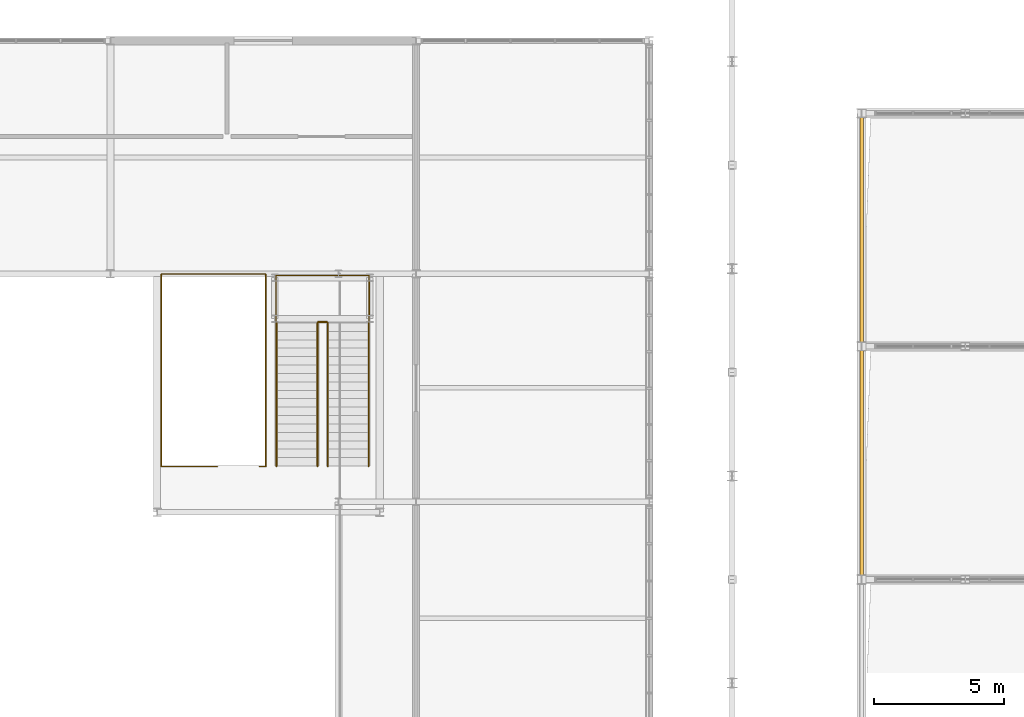
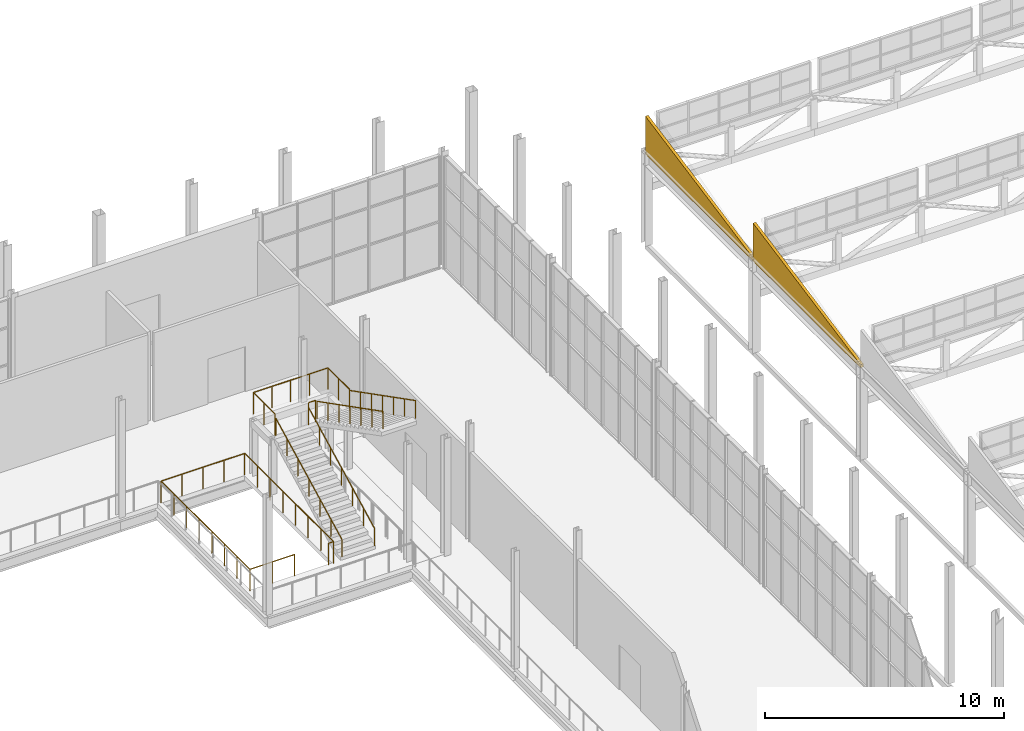
# One storey, part 158 of 159: 7 railings, 2 coverings.
"""IFC4 building model written with IfcOpenShell, lengths in metres."""

from ifc_helpers import new_model, si_unit, direction, frame, origin, origin_2d, place, context, subcontext, project, spatial, polyline, circle, outline, extrude, material, type_object, element, save


model = new_model("IFC4")

# Units and contexts
model_context = context("Model", 3, precision=1e-05, world=origin(), true_north=direction((0.0, 1.0)))
body_context = subcontext(model_context, "Body", "Model", "MODEL_VIEW")
ifc_project = project(units=[si_unit("LENGTHUNIT", "METRE"), si_unit("AREAUNIT", "SQUARE_METRE"), si_unit("VOLUMEUNIT", "CUBIC_METRE"), si_unit("PLANEANGLEUNIT", "RADIAN"), si_unit("MASSUNIT", "GRAM", prefix="KILO")], contexts=[model_context])

# Site, building, storey
site_placement = place(None, origin())
site = spatial("IfcSite", under=ifc_project, at=site_placement, CompositionType="ELEMENT")
building_placement = place(site_placement, origin())
building = spatial("IfcBuilding", under=site, at=building_placement, Name="Cazmaro Siding Exhibition Halls", CompositionType="ELEMENT")
storey_placement = place(building_placement, frame((0.0, 0.0, 6.0)))
storey = spatial("IfcBuildingStorey", under=building, at=storey_placement, Name="L01", CompositionType="ELEMENT", Elevation=6.0)

# Railings
ifc_material_1 = material(Name="Painted Steel Stairwell Guardrail", Category="steel")
railing_type_1 = type_object("IfcRailingType", Name="RL-GRD-01", PredefinedType="GUARDRAIL", material=ifc_material_1)
railing_1_placement = place(storey_placement, frame((151.125, 104.360107421875, 0.0)))
element("IfcRailing", 1, at=railing_1_placement, inside=storey, type_object=railing_type_1, Name="ST-24 Upper Stairwell Guard RL-GRD-01 RL-SG051", PredefinedType="GUARDRAIL", context=body_context, shape_type="SweptSolid", body=[
    extrude(circle(Radius=0.02392578125, at=origin_2d()), frame((0.0, 0.0, 1.09619140625), z_axis=(-1.0, 0.0, 0.0), x_axis=(0.0, -1.0, 0.0)), (0.0, 0.0, 1.0), 2.1650390625),
    extrude(circle(Radius=0.02392578125, at=origin_2d()), frame((-2.1650390625, 0.0, 1.09619140625), z_axis=(0.0, 1.0, 0.0), x_axis=(-1.0, 0.0, 0.0)), (0.0, 0.0, 1.0), 7.429931640625),
    extrude(circle(Radius=0.02392578125, at=origin_2d()), frame((-2.1650390625, 7.429931640625, 1.09619140625), z_axis=(1.0, 0.0, 0.0), x_axis=(0.0, 1.0, 0.0)), (0.0, 0.0, 1.0), 4.0400390625),
    extrude(circle(Radius=0.02392578125, at=origin_2d()), frame((1.875, 7.429931640625, 1.09619140625), z_axis=(0.0, -1.0, 0.0), x_axis=(1.0, 0.0, 0.0)), (0.0, 0.0, 1.0), 7.429931640625),
    extrude(circle(Radius=0.02392578125, at=origin_2d()), frame((1.875, 0.0, 1.09619140625), z_axis=(-1.0, 0.0, 0.0), x_axis=(0.0, -1.0, 0.0)), (0.0, 0.0, 1.0), 0.2451171875),
    extrude(circle(Radius=0.02099609375, at=origin_2d()), origin(), (0.0, 0.0, 1.0), 1.072021484375),
    extrude(circle(Radius=0.02099609375, at=origin_2d()), frame((-1.08251953125, 0.0, 0.0)), (0.0, 0.0, 1.0), 1.072021484375),
    extrude(circle(Radius=0.02099609375, at=origin_2d()), frame((-2.1650390625, 0.0, 0.0)), (0.0, 0.0, 1.0), 1.072021484375),
    extrude(circle(Radius=0.02099609375, at=origin_2d()), frame((-2.1650390625, 1.0615234375, 0.0)), (0.0, 0.0, 1.0), 1.072021484375),
    extrude(circle(Radius=0.02099609375, at=origin_2d()), frame((-2.1650390625, 2.122802734375, 0.0)), (0.0, 0.0, 1.0), 1.072021484375),
    extrude(circle(Radius=0.02099609375, at=origin_2d()), frame((-2.1650390625, 3.184326171875, 0.0)), (0.0, 0.0, 1.0), 1.072021484375),
    extrude(circle(Radius=0.02099609375, at=origin_2d()), frame((-2.1650390625, 4.24560546875, 0.0)), (0.0, 0.0, 1.0), 1.072021484375),
    extrude(circle(Radius=0.02099609375, at=origin_2d()), frame((-2.1650390625, 5.30712890625, 0.0)), (0.0, 0.0, 1.0), 1.072021484375),
    extrude(circle(Radius=0.02099609375, at=origin_2d()), frame((-2.1650390625, 6.368408203125, 0.0)), (0.0, 0.0, 1.0), 1.072021484375),
    extrude(circle(Radius=0.02099609375, at=origin_2d()), frame((-2.1650390625, 7.429931640625, 0.0)), (0.0, 0.0, 1.0), 1.072021484375),
    extrude(circle(Radius=0.02099609375, at=origin_2d()), frame((-1.155029296875, 7.429931640625, 0.0)), (0.0, 0.0, 1.0), 1.072021484375),
    extrude(circle(Radius=0.02099609375, at=origin_2d()), frame((-0.14501953125, 7.429931640625, 0.0)), (0.0, 0.0, 1.0), 1.072021484375),
    extrude(circle(Radius=0.02099609375, at=origin_2d()), frame((0.864990234375, 7.429931640625, 0.0)), (0.0, 0.0, 1.0), 1.072021484375),
    extrude(circle(Radius=0.02099609375, at=origin_2d()), frame((1.875, 7.429931640625, 0.0)), (0.0, 0.0, 1.0), 1.072021484375),
    extrude(circle(Radius=0.02099609375, at=origin_2d()), frame((1.875, 6.368408203125, 0.0)), (0.0, 0.0, 1.0), 1.072021484375),
    extrude(circle(Radius=0.02099609375, at=origin_2d()), frame((1.875, 5.30712890625, 0.0)), (0.0, 0.0, 1.0), 1.072021484375),
    extrude(circle(Radius=0.02099609375, at=origin_2d()), frame((1.875, 4.24560546875, 0.0)), (0.0, 0.0, 1.0), 1.072021484375),
    extrude(circle(Radius=0.02099609375, at=origin_2d()), frame((1.875, 3.184326171875, 0.0)), (0.0, 0.0, 1.0), 1.072021484375),
    extrude(circle(Radius=0.02099609375, at=origin_2d()), frame((1.875, 2.122802734375, 0.0)), (0.0, 0.0, 1.0), 1.072021484375),
    extrude(circle(Radius=0.02099609375, at=origin_2d()), frame((1.875, 1.0615234375, 0.0)), (0.0, 0.0, 1.0), 1.072021484375),
    extrude(circle(Radius=0.02099609375, at=origin_2d()), frame((1.875, 0.0, 0.0)), (0.0, 0.0, 1.0), 1.072021484375),
    extrude(circle(Radius=0.02099609375, at=origin_2d()), frame((1.6298828125, 0.0, 0.0)), (0.0, 0.0, 1.0), 1.072021484375),
])
railing_2_placement = place(storey_placement, frame((155.02490234375, 109.945068359375, 3.0)))
element("IfcRailing", 2, at=railing_2_placement, inside=storey, type_object=railing_type_1, Name="ST-25 Mid-Landing Slot Guard RL-GRD-01 RL-SG052", PredefinedType="GUARDRAIL", context=body_context, shape_type="SweptSolid", body=[
    extrude(circle(Radius=0.02392578125, at=origin_2d()), frame((0.0, 0.0, 1.09619140625), z_axis=(1.0, 0.0, 0.0), x_axis=(0.0, 1.0, 0.0)), (0.0, 0.0, 1.0), 0.330078125),
    extrude(circle(Radius=0.02099609375, at=origin_2d()), origin(), (0.0, 0.0, 1.0), 1.072021484375),
    extrude(circle(Radius=0.02099609375, at=origin_2d()), frame((0.330078125, 0.0, 0.0)), (0.0, 0.0, 1.0), 1.072021484375),
])
railing_3_placement = place(storey_placement, frame((153.389892578125, 109.93994140625, 3.0)))
element("IfcRailing", 3, at=railing_3_placement, inside=storey, type_object=railing_type_1, Name="ST-25 Mid-Landing Perimeter Guard RL-GRD-01 RL-SG053", PredefinedType="GUARDRAIL", context=body_context, shape_type="SweptSolid", body=[
    extrude(circle(Radius=0.02392578125, at=origin_2d()), frame((0.0, 0.0, 1.09619140625), z_axis=(0.0, 1.0, 0.0), x_axis=(-1.0, 0.0, 0.0)), (0.0, 0.0, 1.0), 1.800048828125),
    extrude(circle(Radius=0.02392578125, at=origin_2d()), frame((0.0, 1.800048828125, 1.09619140625), z_axis=(1.0, 0.0, 0.0), x_axis=(0.0, 1.0, 0.0)), (0.0, 0.0, 1.0), 3.60009765625),
    extrude(circle(Radius=0.02392578125, at=origin_2d()), frame((3.60009765625, 1.800048828125, 1.09619140625), z_axis=(0.0, -1.0, 0.0), x_axis=(1.0, 0.0, 0.0)), (0.0, 0.0, 1.0), 1.800048828125),
    extrude(circle(Radius=0.02099609375, at=origin_2d()), origin(), (0.0, 0.0, 1.0), 1.072021484375),
    extrude(circle(Radius=0.02099609375, at=origin_2d()), frame((0.0, 0.89990234375, 0.0)), (0.0, 0.0, 1.0), 1.072021484375),
    extrude(circle(Radius=0.02099609375, at=origin_2d()), frame((0.0, 1.800048828125, 0.0)), (0.0, 0.0, 1.0), 1.072021484375),
    extrude(circle(Radius=0.02099609375, at=origin_2d()), frame((0.89990234375, 1.800048828125, 0.0)), (0.0, 0.0, 1.0), 1.072021484375),
    extrude(circle(Radius=0.02099609375, at=origin_2d()), frame((1.800048828125, 1.800048828125, 0.0)), (0.0, 0.0, 1.0), 1.072021484375),
    extrude(circle(Radius=0.02099609375, at=origin_2d()), frame((2.7001953125, 1.800048828125, 0.0)), (0.0, 0.0, 1.0), 1.072021484375),
    extrude(circle(Radius=0.02099609375, at=origin_2d()), frame((3.60009765625, 1.800048828125, 0.0)), (0.0, 0.0, 1.0), 1.072021484375),
    extrude(circle(Radius=0.02099609375, at=origin_2d()), frame((3.60009765625, 0.89990234375, 0.0)), (0.0, 0.0, 1.0), 1.072021484375),
    extrude(circle(Radius=0.02099609375, at=origin_2d()), frame((3.60009765625, 0.0, 0.0)), (0.0, 0.0, 1.0), 1.072021484375),
])
ifc_material_2 = material(Name="Brushed Stainless Steel Tubular Handrail", Category="steel")
railing_type_2 = type_object("IfcRailingType", Name="RL-HR-01", PredefinedType="HANDRAIL", material=ifc_material_2)
railing_4_placement = place(storey_placement, frame((153.409912109375, 104.3798828125, 0.1669921875)))
element("IfcRailing", 4, at=railing_4_placement, inside=storey, type_object=railing_type_2, Name="ST-25 Flight 1 Handrail 1", PredefinedType="HANDRAIL", context=body_context, shape_type="SweptSolid", body=[
    extrude(circle(Radius=0.02392578125, at=origin_2d()), frame((0.0, 0.0, 0.89599609375), z_axis=(0.0, 0.88984366082, 0.45626555787), x_axis=(-1.0, 0.0, 0.0)), (0.0, 0.0, 1.0), 6.209228515625),
    extrude(circle(Radius=0.02099609375, at=origin_2d()), origin(), (0.0, 0.0, 1.0), 0.871826171875),
    extrude(circle(Radius=0.02099609375, at=origin_2d()), frame((0.0, 0.9208984375, 0.47216796875)), (0.0, 0.0, 1.0), 0.871826171875),
    extrude(circle(Radius=0.02099609375, at=origin_2d()), frame((0.0, 1.841796875, 0.9443359375)), (0.0, 0.0, 1.0), 0.871826171875),
    extrude(circle(Radius=0.02099609375, at=origin_2d()), frame((0.0, 2.7626953125, 1.41650390625)), (0.0, 0.0, 1.0), 0.871826171875),
    extrude(circle(Radius=0.02099609375, at=origin_2d()), frame((0.0, 3.683349609375, 1.888671875)), (0.0, 0.0, 1.0), 0.871826171875),
    extrude(circle(Radius=0.02099609375, at=origin_2d()), frame((0.0, 4.604248046875, 2.36083984375)), (0.0, 0.0, 1.0), 0.871826171875),
    extrude(circle(Radius=0.02099609375, at=origin_2d()), frame((0.0, 5.525146484375, 2.8330078125)), (0.0, 0.0, 1.0), 0.871826171875),
])
railing_5_placement = place(storey_placement, frame((155.389892578125, 109.905029296875, 3.1669921875)))
element("IfcRailing", 5, at=railing_5_placement, inside=storey, type_object=railing_type_2, Name="ST-25 Flight 2 Handrail 1", PredefinedType="HANDRAIL", context=body_context, shape_type="SweptSolid", body=[
    extrude(circle(Radius=0.02392578125, at=origin_2d()), frame((0.0, 0.0, 0.89599609375), z_axis=(0.0, -0.88984366082, 0.45626555787), x_axis=(1.0, 0.0, 0.0)), (0.0, 0.0, 1.0), 6.209228515625),
    extrude(circle(Radius=0.02099609375, at=origin_2d()), origin(), (0.0, 0.0, 1.0), 0.871826171875),
    extrude(circle(Radius=0.02099609375, at=origin_2d()), frame((0.0, -0.9208984375, 0.47216796875)), (0.0, 0.0, 1.0), 0.871826171875),
    extrude(circle(Radius=0.02099609375, at=origin_2d()), frame((0.0, -1.841796875, 0.9443359375)), (0.0, 0.0, 1.0), 0.871826171875),
    extrude(circle(Radius=0.02099609375, at=origin_2d()), frame((0.0, -2.7626953125, 1.41650390625)), (0.0, 0.0, 1.0), 0.871826171875),
    extrude(circle(Radius=0.02099609375, at=origin_2d()), frame((0.0, -3.683349609375, 1.888671875)), (0.0, 0.0, 1.0), 0.871826171875),
    extrude(circle(Radius=0.02099609375, at=origin_2d()), frame((0.0, -4.604248046875, 2.36083984375)), (0.0, 0.0, 1.0), 0.871826171875),
    extrude(circle(Radius=0.02099609375, at=origin_2d()), frame((0.0, -5.525146484375, 2.8330078125)), (0.0, 0.0, 1.0), 0.871826171875),
])
railing_6_placement = place(storey_placement, frame((154.989990234375, 104.3798828125, 0.1669921875)))
element("IfcRailing", 6, at=railing_6_placement, inside=storey, type_object=railing_type_2, Name="ST-25 Flight 1 Handrail 2", PredefinedType="HANDRAIL", context=body_context, shape_type="SweptSolid", body=[
    extrude(circle(Radius=0.02392578125, at=origin_2d()), frame((0.0, 0.0, 0.89599609375), z_axis=(0.0, 0.88984366082, 0.45626555787), x_axis=(-1.0, 0.0, 0.0)), (0.0, 0.0, 1.0), 6.209228515625),
    extrude(circle(Radius=0.02099609375, at=origin_2d()), origin(), (0.0, 0.0, 1.0), 0.871826171875),
    extrude(circle(Radius=0.02099609375, at=origin_2d()), frame((0.0, 0.9208984375, 0.47216796875)), (0.0, 0.0, 1.0), 0.871826171875),
    extrude(circle(Radius=0.02099609375, at=origin_2d()), frame((0.0, 1.841796875, 0.9443359375)), (0.0, 0.0, 1.0), 0.871826171875),
    extrude(circle(Radius=0.02099609375, at=origin_2d()), frame((0.0, 2.7626953125, 1.41650390625)), (0.0, 0.0, 1.0), 0.871826171875),
    extrude(circle(Radius=0.02099609375, at=origin_2d()), frame((0.0, 3.683349609375, 1.888671875)), (0.0, 0.0, 1.0), 0.871826171875),
    extrude(circle(Radius=0.02099609375, at=origin_2d()), frame((0.0, 4.604248046875, 2.36083984375)), (0.0, 0.0, 1.0), 0.871826171875),
    extrude(circle(Radius=0.02099609375, at=origin_2d()), frame((0.0, 5.525146484375, 2.8330078125)), (0.0, 0.0, 1.0), 0.871826171875),
])
railing_7_placement = place(storey_placement, frame((156.969970703125, 109.905029296875, 3.1669921875)))
element("IfcRailing", 7, at=railing_7_placement, inside=storey, type_object=railing_type_2, Name="ST-25 Flight 2 Handrail 2", PredefinedType="HANDRAIL", context=body_context, shape_type="SweptSolid", body=[
    extrude(circle(Radius=0.02392578125, at=origin_2d()), frame((0.0, 0.0, 0.89599609375), z_axis=(0.0, -0.88984366082, 0.45626555787), x_axis=(1.0, 0.0, 0.0)), (0.0, 0.0, 1.0), 6.209228515625),
    extrude(circle(Radius=0.02099609375, at=origin_2d()), origin(), (0.0, 0.0, 1.0), 0.871826171875),
    extrude(circle(Radius=0.02099609375, at=origin_2d()), frame((0.0, -0.9208984375, 0.47216796875)), (0.0, 0.0, 1.0), 0.871826171875),
    extrude(circle(Radius=0.02099609375, at=origin_2d()), frame((0.0, -1.841796875, 0.9443359375)), (0.0, 0.0, 1.0), 0.871826171875),
    extrude(circle(Radius=0.02099609375, at=origin_2d()), frame((0.0, -2.7626953125, 1.41650390625)), (0.0, 0.0, 1.0), 0.871826171875),
    extrude(circle(Radius=0.02099609375, at=origin_2d()), frame((0.0, -3.683349609375, 1.888671875)), (0.0, 0.0, 1.0), 0.871826171875),
    extrude(circle(Radius=0.02099609375, at=origin_2d()), frame((0.0, -4.604248046875, 2.36083984375)), (0.0, 0.0, 1.0), 0.871826171875),
    extrude(circle(Radius=0.02099609375, at=origin_2d()), frame((0.0, -5.525146484375, 2.8330078125)), (0.0, 0.0, 1.0), 0.871826171875),
])

# Coverings
ifc_material_3 = material(Name="Insulated Brushed Aluminum Architectural Gable Cladding", Category="aluminium")
covering_type = type_object("IfcCoveringType", Name="COV-CLAD-01", PredefinedType="CLADDING", material=ifc_material_3)
for number, where, z_axis, x_axis, name in (
    (8, (176.0, 100.0, -6.0), (0.0, 0.0, 1.0), (0.0, 1.0, 0.0), "Sawtooth West Cheek Cladding Bay 5 COV-CLAD-01 011"),
    (9, (176.0, 109.0, -6.0), (0.0, 0.0, 1.0), (0.0, 1.0, 0.0), "Sawtooth West Cheek Cladding Bay 6 COV-CLAD-01 013"),
):
    element("IfcCovering", number, at=place(storey_placement, frame(where, z_axis=z_axis, x_axis=x_axis)), inside=storey, type_object=covering_type, Name=name, PredefinedType="CLADDING", context=body_context, shape_type="SweptSolid", body=[
        extrude(outline(polyline([(0.0, 10.580078125), (9.0, 10.580078125), (9.0, 12.52001953125), (0.0, 10.739990234375), (0.0, 10.580078125)])), frame((0.0, 0.06982421875, 0.0), z_axis=(0.0, -1.0, 0.0), x_axis=(1.0, 0.0, 0.0)), (0.0, 0.0, 1.0), 0.139892578125),
    ])

save(model, "model.ifc")
